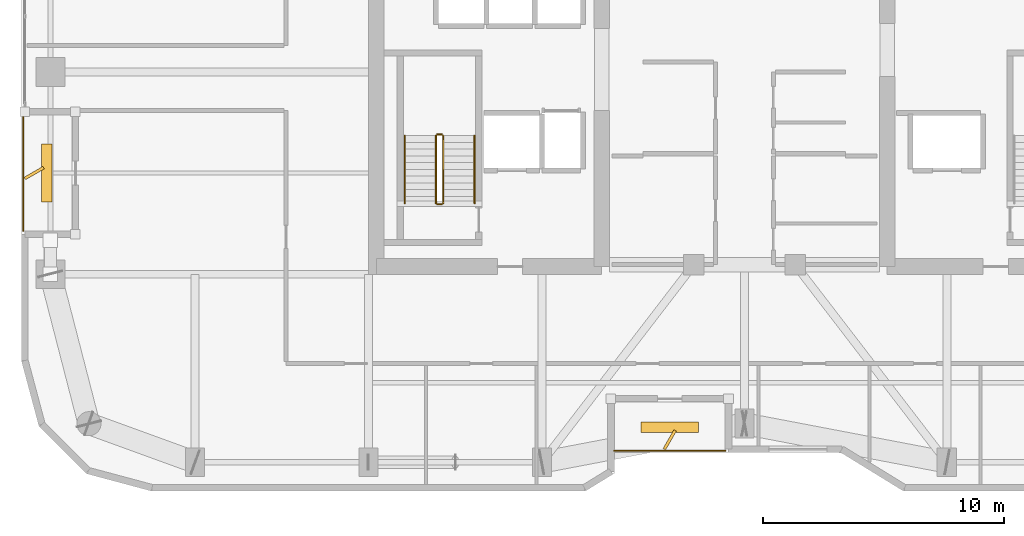
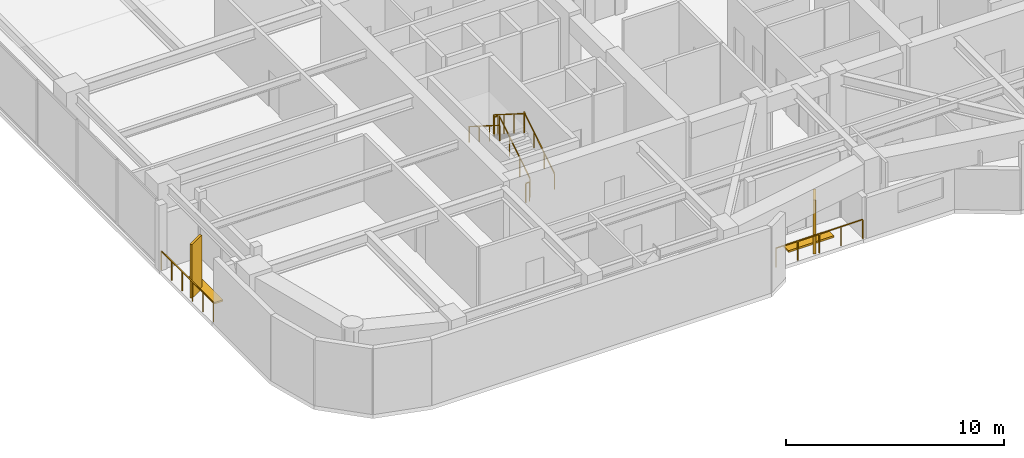
# One storey, part 28 of 30: 8 railings, 4 shading devices.
"""IFC4 building model written with IfcOpenShell, lengths in metres."""

import ifcopenshell
import ifcopenshell.guid

model = None  # the IFC model being written
_history = None  # IfcOwnerHistory: only IFC2X3 demands one
_inside = {}  # id of a spatial element -> (the spatial element, [elements in it])
_under = {}  # id of a project, library or spatial element -> (it, [spatial elements below it])
_declared = {}  # id of a project -> (the project, [libraries it declares])
_typed = {}  # id of a type object -> (the type object, [elements of that type])
_made_of = {}  # id of a material, layer set ... -> (it, [elements and type objects made of it])


def new_model(schema):
    """Start an empty IFC model of exactly this schema.

    Asked for "IFC4X3", IfcOpenShell would pick the latest addendum, in which some entities
    have other attributes; the version numbers below select the first issue.
    IFC2X3 requires an IfcOwnerHistory on every rooted entity: one is made here for all.
    """
    global model, _history
    if schema == "IFC4X3":
        model = ifcopenshell.file(schema_version=(4, 3, 0, 0))
    else:
        model = ifcopenshell.file(schema=schema)
    _inside.clear()
    _under.clear()
    _declared.clear()
    _typed.clear()
    _made_of.clear()
    _history = None
    if model.schema == "IFC2X3":
        org = make("IfcOrganization", Name="unknown")
        user = make(
            "IfcPersonAndOrganization",
            ThePerson=make("IfcPerson", FamilyName="unknown"),
            TheOrganization=org,
        )
        app = make(
            "IfcApplication",
            ApplicationDeveloper=org,
            Version="unknown",
            ApplicationFullName="unknown",
            ApplicationIdentifier="unknown",
        )
        _history = make(
            "IfcOwnerHistory",
            OwningUser=user,
            OwningApplication=app,
            ChangeAction="ADDED",
            CreationDate=0,
        )
    return model


def make(cls, **values):
    """One entity of the class cls with the attributes given. An attribute that is None is left unset."""
    return model.create_entity(
        cls, **{name: value for name, value in values.items() if value is not None}
    )


def rooted(cls, **values):
    """An entity with a GlobalId (a new one), such as an element, a storey or a relation."""
    return make(cls, GlobalId=ifcopenshell.guid.new(), OwnerHistory=_history, **values)


def si_unit(unit_type, name, prefix=None):
    """IfcSIUnit, for example si_unit("LENGTHUNIT", "METRE", prefix="MILLI")."""
    return make("IfcSIUnit", UnitType=unit_type, Prefix=prefix, Name=name)


def assignment(units):
    """IfcUnitAssignment: the units of a project."""
    return None if units is None else make("IfcUnitAssignment", Units=units)


def point(xyz):
    """IfcCartesianPoint."""
    return None if xyz is None else make("IfcCartesianPoint", Coordinates=xyz)


def direction(xyz):
    """IfcDirection."""
    return None if xyz is None else make("IfcDirection", DirectionRatios=xyz)


def frame(location, z_axis=None, x_axis=None):
    """IfcAxis2Placement3D, a coordinate frame: its origin and axes. An axis left out is left unset."""
    return make(
        "IfcAxis2Placement3D",
        Location=point(location),
        Axis=direction(z_axis),
        RefDirection=direction(x_axis),
    )


def frame_2d(location, x_axis=None):
    """IfcAxis2Placement2D, a coordinate frame in the plane: its origin and x axis."""
    return make(
        "IfcAxis2Placement2D", Location=point(location), RefDirection=direction(x_axis)
    )


def origin():
    """The frame at (0, 0, 0) with its axes left unset."""
    return frame((0.0, 0.0, 0.0))


def origin_2d():
    """The frame at (0, 0) in the plane with its x axis left unset."""
    return frame_2d((0.0, 0.0))


def place(relative_to, where):
    """IfcLocalPlacement: puts the frame where relative to a parent placement (None: the world)."""
    return make(
        "IfcLocalPlacement", PlacementRelTo=relative_to, RelativePlacement=where
    )


def context(
    kind, dimensions, precision=None, world=None, true_north=None, identifier=None
):
    """IfcGeometricRepresentationContext, for example the 3D "Model" context."""
    return make(
        "IfcGeometricRepresentationContext",
        ContextIdentifier=identifier,
        ContextType=kind,
        CoordinateSpaceDimension=dimensions,
        Precision=precision,
        WorldCoordinateSystem=world,
        TrueNorth=true_north,
    )


def subcontext(parent, identifier, kind, view, scale=None):
    """IfcGeometricRepresentationSubContext, for example "Body" below "Model"."""
    return make(
        "IfcGeometricRepresentationSubContext",
        ContextIdentifier=identifier,
        ContextType=kind,
        ParentContext=parent,
        TargetScale=scale,
        TargetView=view,
    )


def project(units=None, contexts=None):
    """IfcProject with its units and contexts."""
    return rooted(
        "IfcProject",
        Name="project",
        RepresentationContexts=contexts,
        UnitsInContext=assignment(units),
    )


def spatial(cls, under=None, at=None, **own):
    """A site, building, storey or space (cls), placed at a placement, below another one or the project."""
    s = rooted(cls, ObjectPlacement=at, **own)
    if under is not None:
        _under.setdefault(under.id(), (under, []))[1].append(s)
    return s


def profile(cls, at=None, kind="AREA", **sizes):
    """A parametric profile (cls). Its sizes go by their IFC names, for example OverallWidth=200.0."""
    return make(cls, ProfileType=kind, Position=at, **sizes)


def rectangle(**sizes):
    """IfcRectangleProfileDef."""
    return profile("IfcRectangleProfileDef", **sizes)


def extrude(swept, where, along, depth):
    """IfcExtrudedAreaSolid: the profile swept, set in the frame where, extruded along a direction by depth."""
    return make(
        "IfcExtrudedAreaSolid",
        SweptArea=swept,
        Position=where,
        ExtrudedDirection=direction(along),
        Depth=depth,
    )


def shape(context_of_items, identifier, shape_type, items):
    """IfcShapeRepresentation: the items that make up one representation, for example the "Body"."""
    return make(
        "IfcShapeRepresentation",
        ContextOfItems=context_of_items,
        RepresentationIdentifier=identifier,
        RepresentationType=shape_type,
        Items=items,
    )


def material(Name=None, Category=None):
    """IfcMaterial."""
    return make("IfcMaterial", Name=Name, Category=Category)


def made_of(thing, what):
    """Note that an element or type object is made of a material, layer set ...; save() writes the relation."""
    if what is not None:
        _made_of.setdefault(what.id(), (what, []))[1].append(thing)
    return thing


def type_object(cls, material=None, **own):
    """A type object (cls), such as IfcWallType, which elements share."""
    return made_of(rooted(cls, **own), material)


def element(
    cls,
    number,
    at=None,
    inside=None,
    cuts=None,
    type_object=None,
    material=None,
    context=None,
    identifier="Body",
    shape_type=None,
    held_by="IfcProductDefinitionShape",
    body=None,
    shapes=None,
    **own,
):
    """One element of the class cls, such as IfcWall. Its Tag is "e" and its number.

    at: its placement. inside: the storey or other place that contains it. cuts: it is an
    opening in that element (IfcRelVoidsElement). A single representation is given by context,
    identifier, shape_type and body (its items); several are given by shapes. held_by: the class
    of the entity that holds the representations. save() writes the other relations.
    """
    e = rooted(cls, Tag="e%d" % number, ObjectPlacement=at, **own)
    if body is not None:
        shapes = [shape(context, identifier, shape_type, body)]
    if shapes is not None:
        e.Representation = make(held_by, Representations=shapes)
    if inside is not None:
        _inside.setdefault(inside.id(), (inside, []))[1].append(e)
    if cuts is not None:
        rooted(
            "IfcRelVoidsElement", RelatingBuildingElement=cuts, RelatedOpeningElement=e
        )
    if type_object is not None:
        _typed.setdefault(type_object.id(), (type_object, []))[1].append(e)
    return made_of(e, material)


def aggregate(whole, parts):
    """IfcRelAggregates: a whole, such as a stair, and the parts it consists of."""
    return rooted("IfcRelAggregates", RelatingObject=whole, RelatedObjects=parts)


def save(model, path):
    """Write the relations noted so far, then the file.

    IfcRelAggregates (storeys below a building ...), IfcRelContainedInSpatialStructure (elements
    in a storey), IfcRelDefinesByType, IfcRelAssociatesMaterial and IfcRelDeclares: one each for
    every whole, place, type object, material and project.
    """
    for whole, parts in _under.values():
        aggregate(whole, parts)
    for where, things in _inside.values():
        rooted(
            "IfcRelContainedInSpatialStructure",
            RelatedElements=things,
            RelatingStructure=where,
        )
    for kind, things in _typed.values():
        rooted("IfcRelDefinesByType", RelatedObjects=things, RelatingType=kind)
    for what, things in _made_of.values():
        rooted("IfcRelAssociatesMaterial", RelatedObjects=things, RelatingMaterial=what)
    for by, libraries in _declared.values():
        rooted("IfcRelDeclares", RelatingContext=by, RelatedDefinitions=libraries)
    model.write(path)


model = new_model("IFC4")

# Units and contexts
model_context = context("Model", 3, precision=1e-05, world=origin(), true_north=direction((0.0, 1.0)))
body_context = subcontext(model_context, "Body", "Model", "MODEL_VIEW")
ifc_project = project(units=[si_unit("LENGTHUNIT", "METRE"), si_unit("AREAUNIT", "SQUARE_METRE"), si_unit("VOLUMEUNIT", "CUBIC_METRE"), si_unit("PLANEANGLEUNIT", "RADIAN"), si_unit("MASSUNIT", "GRAM", prefix="KILO")], contexts=[model_context])

# Site, building, storey
site_placement = place(None, origin())
site = spatial("IfcSite", under=ifc_project, at=site_placement, CompositionType="ELEMENT")
building_placement = place(site_placement, origin())
building = spatial("IfcBuilding", under=site, at=building_placement, Name="Kiyonajd Concourse Tower", CompositionType="ELEMENT")
storey_placement = place(building_placement, frame((0.0, 0.0, 201.89990234375)))
storey = spatial("IfcBuildingStorey", under=building, at=storey_placement, Name="L51", CompositionType="ELEMENT", Elevation=201.89990234375)

# Railings
ifc_material_1 = material(Name="Thermally Broken Anodised Aluminium", Category="aluminium")
railing_type_1 = type_object("IfcRailingType", Name="RL-GRD-LOG", PredefinedType="GUARDRAIL", material=ifc_material_1)
railing_1_placement = place(storey_placement, frame((42.60009765625, 20.280029296875, 0.0)))
element("IfcRailing", 1, at=railing_1_placement, inside=storey, type_object=railing_type_1, Name="L51 Engawa Loggia Perimeter Guard LOG-S", PredefinedType="GUARDRAIL", context=body_context, shape_type="SweptSolid", body=[
    extrude(rectangle(XDim=0.048095703125, YDim=0.048095703125, at=origin_2d()), frame((0.0, 0.0, 1.076171875), z_axis=(1.0, 0.0, 0.0), x_axis=(0.0, 1.0, 0.0)), (0.0, 0.0, 1.0), 4.599853515625),
    extrude(rectangle(XDim=0.0419921875, YDim=0.0419921875, at=origin_2d()), origin(), (0.0, 0.0, 1.0), 1.052001953125),
    extrude(rectangle(XDim=0.0419921875, YDim=0.0419921875, at=origin_2d()), frame((1.14990234375, 0.0, 0.0)), (0.0, 0.0, 1.0), 1.052001953125),
    extrude(rectangle(XDim=0.0419921875, YDim=0.0419921875, at=origin_2d()), frame((2.2998046875, 0.0, 0.0)), (0.0, 0.0, 1.0), 1.052001953125),
    extrude(rectangle(XDim=0.0419921875, YDim=0.0419921875, at=origin_2d()), frame((3.449951171875, 0.0, 0.0)), (0.0, 0.0, 1.0), 1.052001953125),
    extrude(rectangle(XDim=0.0419921875, YDim=0.0419921875, at=origin_2d()), frame((4.599853515625, 0.0, 0.0)), (0.0, 0.0, 1.0), 1.052001953125),
])
railing_2_placement = place(storey_placement, frame((18.080078125, 34.199951171875, 0.0)))
element("IfcRailing", 2, at=railing_2_placement, inside=storey, type_object=railing_type_1, Name="L51 Engawa Loggia Perimeter Guard LOG-W", PredefinedType="GUARDRAIL", context=body_context, shape_type="SweptSolid", body=[
    extrude(rectangle(XDim=0.048095703125, YDim=0.048095703125, at=origin_2d()), frame((0.0, 0.0, 1.076171875), z_axis=(0.0, -1.0, 0.0), x_axis=(1.0, 0.0, 0.0)), (0.0, 0.0, 1.0), 4.800048828125),
    extrude(rectangle(XDim=0.0419921875, YDim=0.0419921875, at=origin_2d()), origin(), (0.0, 0.0, 1.0), 1.052001953125),
    extrude(rectangle(XDim=0.0419921875, YDim=0.0419921875, at=origin_2d()), frame((0.0, -0.9599609375, 0.0)), (0.0, 0.0, 1.0), 1.052001953125),
    extrude(rectangle(XDim=0.0419921875, YDim=0.0419921875, at=origin_2d()), frame((0.0, -1.919921875, 0.0)), (0.0, 0.0, 1.0), 1.052001953125),
    extrude(rectangle(XDim=0.0419921875, YDim=0.0419921875, at=origin_2d()), frame((0.0, -2.880126953125, 0.0)), (0.0, 0.0, 1.0), 1.052001953125),
    extrude(rectangle(XDim=0.0419921875, YDim=0.0419921875, at=origin_2d()), frame((0.0, -3.840087890625, 0.0)), (0.0, 0.0, 1.0), 1.052001953125),
    extrude(rectangle(XDim=0.0419921875, YDim=0.0419921875, at=origin_2d()), frame((0.0, -4.800048828125, 0.0)), (0.0, 0.0, 1.0), 1.052001953125),
])
ifc_material_2 = material(Name="Steel ASTM A500 Grade C", Category="steel")
railing_type_2 = type_object("IfcRailingType", Name="RL-GRD-STR", PredefinedType="GUARDRAIL", material=ifc_material_2)
railing_3_placement = place(storey_placement, frame((35.5, 30.550048828125, 0.177490234375)))
element("IfcRailing", 3, at=railing_3_placement, inside=storey, type_object=railing_type_2, Name="L51 ST1 stair guard 1", PredefinedType="GUARDRAIL", context=body_context, shape_type="SweptSolid", body=[
    extrude(rectangle(XDim=0.048095703125, YDim=0.048095703125, at=origin_2d()), frame((0.0, 0.0, 1.076171875), z_axis=(0.0, 0.844908973607, 0.534910110503), x_axis=(-1.0, 0.0, 0.0)), (0.0, 0.0, 1.0), 3.31396484375),
    extrude(rectangle(XDim=0.0419921875, YDim=0.0419921875, at=origin_2d()), origin(), (0.0, 0.0, 1.0), 1.052001953125),
    extrude(rectangle(XDim=0.0419921875, YDim=0.0419921875, at=origin_2d()), frame((0.0, 0.933349609375, 0.5908203125)), (0.0, 0.0, 1.0), 1.052001953125),
    extrude(rectangle(XDim=0.0419921875, YDim=0.0419921875, at=origin_2d()), frame((0.0, 1.86669921875, 1.181884765625)), (0.0, 0.0, 1.0), 1.052001953125),
    extrude(rectangle(XDim=0.0419921875, YDim=0.0419921875, at=origin_2d()), frame((0.0, 2.800048828125, 1.772705078125)), (0.0, 0.0, 1.0), 1.052001953125),
])
railing_4_placement = place(storey_placement, frame((35.449951171875, 33.39990234375, 1.9501953125)))
element("IfcRailing", 4, at=railing_4_placement, inside=storey, type_object=railing_type_2, Name="L51 ST1 stair guard 2", PredefinedType="GUARDRAIL", context=body_context, shape_type="SweptSolid", body=[
    extrude(rectangle(XDim=0.048095703125, YDim=0.048095703125, at=origin_2d()), frame((0.0, 0.0, 1.076171875), z_axis=(-1.0, 0.0, 0.0), x_axis=(0.0, -1.0, 0.0)), (0.0, 0.0, 1.0), 0.199951171875),
    extrude(rectangle(XDim=0.0419921875, YDim=0.0419921875, at=origin_2d()), origin(), (0.0, 0.0, 1.0), 1.052001953125),
    extrude(rectangle(XDim=0.0419921875, YDim=0.0419921875, at=origin_2d()), frame((-0.199951171875, 0.0, 0.0)), (0.0, 0.0, 1.0), 1.052001953125),
])
railing_5_placement = place(storey_placement, frame((35.199951171875, 33.35009765625, 2.12744140625)))
element("IfcRailing", 5, at=railing_5_placement, inside=storey, type_object=railing_type_2, Name="L51 ST1 stair guard 3", PredefinedType="GUARDRAIL", context=body_context, shape_type="SweptSolid", body=[
    extrude(rectangle(XDim=0.048095703125, YDim=0.048095703125, at=origin_2d()), frame((0.0, 0.0, 1.076171875), z_axis=(0.0, -0.844908973607, 0.534910110503), x_axis=(1.0, 0.0, 0.0)), (0.0, 0.0, 1.0), 3.31396484375),
    extrude(rectangle(XDim=0.0419921875, YDim=0.0419921875, at=origin_2d()), origin(), (0.0, 0.0, 1.0), 1.052001953125),
    extrude(rectangle(XDim=0.0419921875, YDim=0.0419921875, at=origin_2d()), frame((0.0, -0.933349609375, 0.5908203125)), (0.0, 0.0, 1.0), 1.052001953125),
    extrude(rectangle(XDim=0.0419921875, YDim=0.0419921875, at=origin_2d()), frame((0.0, -1.86669921875, 1.181884765625)), (0.0, 0.0, 1.0), 1.052001953125),
    extrude(rectangle(XDim=0.0419921875, YDim=0.0419921875, at=origin_2d()), frame((0.0, -2.800048828125, 1.772705078125)), (0.0, 0.0, 1.0), 1.052001953125),
])
railing_6_placement = place(storey_placement, frame((35.449951171875, 30.5, 0.0)))
element("IfcRailing", 6, at=railing_6_placement, inside=storey, type_object=railing_type_2, Name="L51 ST1 stair guard 4", PredefinedType="GUARDRAIL", context=body_context, shape_type="SweptSolid", body=[
    extrude(rectangle(XDim=0.048095703125, YDim=0.048095703125, at=origin_2d()), frame((0.0, 0.0, 1.076171875), z_axis=(-1.0, 0.0, 0.0), x_axis=(0.0, -1.0, 0.0)), (0.0, 0.0, 1.0), 0.199951171875),
    extrude(rectangle(XDim=0.0419921875, YDim=0.0419921875, at=origin_2d()), origin(), (0.0, 0.0, 1.0), 1.052001953125),
    extrude(rectangle(XDim=0.0419921875, YDim=0.0419921875, at=origin_2d()), frame((-0.199951171875, 0.0, 0.0)), (0.0, 0.0, 1.0), 1.052001953125),
])
ifc_material_3 = material(Name="Brushed Stainless Steel Cab Assembly", Category="steel")
railing_type_3 = type_object("IfcRailingType", Name="RL-HND-900", PredefinedType="HANDRAIL", material=ifc_material_3)
railing_7_placement = place(storey_placement, frame((36.800048828125, 30.550048828125, 0.177490234375)))
element("IfcRailing", 7, at=railing_7_placement, inside=storey, type_object=railing_type_3, Name="L51 ST1 stair handrail 1", PredefinedType="HANDRAIL", context=body_context, shape_type="SweptSolid", body=[
    extrude(rectangle(XDim=0.048095703125, YDim=0.048095703125, at=origin_2d()), frame((0.0, 0.0, 0.8759765625), z_axis=(0.0, 0.844908973607, 0.534910110503), x_axis=(-1.0, 0.0, 0.0)), (0.0, 0.0, 1.0), 3.31396484375),
    extrude(rectangle(XDim=0.0419921875, YDim=0.0419921875, at=origin_2d()), origin(), (0.0, 0.0, 1.0), 0.851806640625),
    extrude(rectangle(XDim=0.0419921875, YDim=0.0419921875, at=origin_2d()), frame((0.0, 0.933349609375, 0.5908203125)), (0.0, 0.0, 1.0), 0.851806640625),
    extrude(rectangle(XDim=0.0419921875, YDim=0.0419921875, at=origin_2d()), frame((0.0, 1.86669921875, 1.181884765625)), (0.0, 0.0, 1.0), 0.851806640625),
    extrude(rectangle(XDim=0.0419921875, YDim=0.0419921875, at=origin_2d()), frame((0.0, 2.800048828125, 1.772705078125)), (0.0, 0.0, 1.0), 0.851806640625),
])
railing_8_placement = place(storey_placement, frame((33.89990234375, 33.35009765625, 2.12744140625)))
element("IfcRailing", 8, at=railing_8_placement, inside=storey, type_object=railing_type_3, Name="L51 ST1 stair handrail 2", PredefinedType="HANDRAIL", context=body_context, shape_type="SweptSolid", body=[
    extrude(rectangle(XDim=0.048095703125, YDim=0.048095703125, at=origin_2d()), frame((0.0, 0.0, 0.8759765625), z_axis=(0.0, -0.844908973607, 0.534910110503), x_axis=(1.0, 0.0, 0.0)), (0.0, 0.0, 1.0), 3.31396484375),
    extrude(rectangle(XDim=0.0419921875, YDim=0.0419921875, at=origin_2d()), origin(), (0.0, 0.0, 1.0), 0.851806640625),
    extrude(rectangle(XDim=0.0419921875, YDim=0.0419921875, at=origin_2d()), frame((0.0, -0.933349609375, 0.5908203125)), (0.0, 0.0, 1.0), 0.851806640625),
    extrude(rectangle(XDim=0.0419921875, YDim=0.0419921875, at=origin_2d()), frame((0.0, -1.86669921875, 1.181884765625)), (0.0, 0.0, 1.0), 0.851806640625),
    extrude(rectangle(XDim=0.0419921875, YDim=0.0419921875, at=origin_2d()), frame((0.0, -2.800048828125, 1.772705078125)), (0.0, 0.0, 1.0), 0.851806640625),
])

# Shading devices
ifc_material_4 = material(Name="Precast concrete C50/60", Category="concrete")
shading_device_type_1 = type_object("IfcShadingDeviceType", Name="SH-FIN-900", PredefinedType="USERDEFINED", material=ifc_material_4)
for number, where, z_axis, x_axis, name in (
    (9, (44.89990234375, 20.72998046875, 0.0), (0.0, 0.0, 1.0), (0.5, 0.866025403784, 0.0), "L51 Angled Koshi Solar Fin LOG-S"),
    (10, (18.530029296875, 31.800048828125, 0.0), (0.0, 0.0, 1.0), (0.866025403784, 0.5, 0.0), "L51 Angled Koshi Solar Fin LOG-W"),
):
    element("IfcShadingDevice", number, at=place(storey_placement, frame(where, z_axis=z_axis, x_axis=x_axis)), inside=storey, type_object=shading_device_type_1, Name=name, ObjectType="FIN", PredefinedType="USERDEFINED", context=body_context, shape_type="SweptSolid", body=[
        extrude(rectangle(XDim=0.89990234375, YDim=0.1201171875, at=origin_2d()), origin(), (0.0, 0.0, 1.0), 3.0),
    ])
shading_device_type_2 = type_object("IfcShadingDeviceType", Name="SH-LVR-600", PredefinedType="JALOUSIE", material=ifc_material_1)
for number, where, z_axis, x_axis, name in (
    (11, (44.89990234375, 21.25, 0.0), (0.0, 0.0, 1.0), (1.0, 0.0, 0.0), "L51 Loggia Threshold Louver LOG-S"),
    (12, (19.050048828125, 31.800048828125, 0.0), (0.0, 0.0, 1.0), (0.0, 1.0, 0.0), "L51 Loggia Threshold Louver LOG-W"),
):
    element("IfcShadingDevice", number, at=place(storey_placement, frame(where, z_axis=z_axis, x_axis=x_axis)), inside=storey, type_object=shading_device_type_2, Name=name, PredefinedType="JALOUSIE", context=body_context, shape_type="SweptSolid", body=[
        extrude(rectangle(XDim=2.39990234375, YDim=0.449951171875, at=origin_2d()), origin(), (0.0, 0.0, 1.0), 0.10009765625),
    ])

save(model, "model.ifc")
